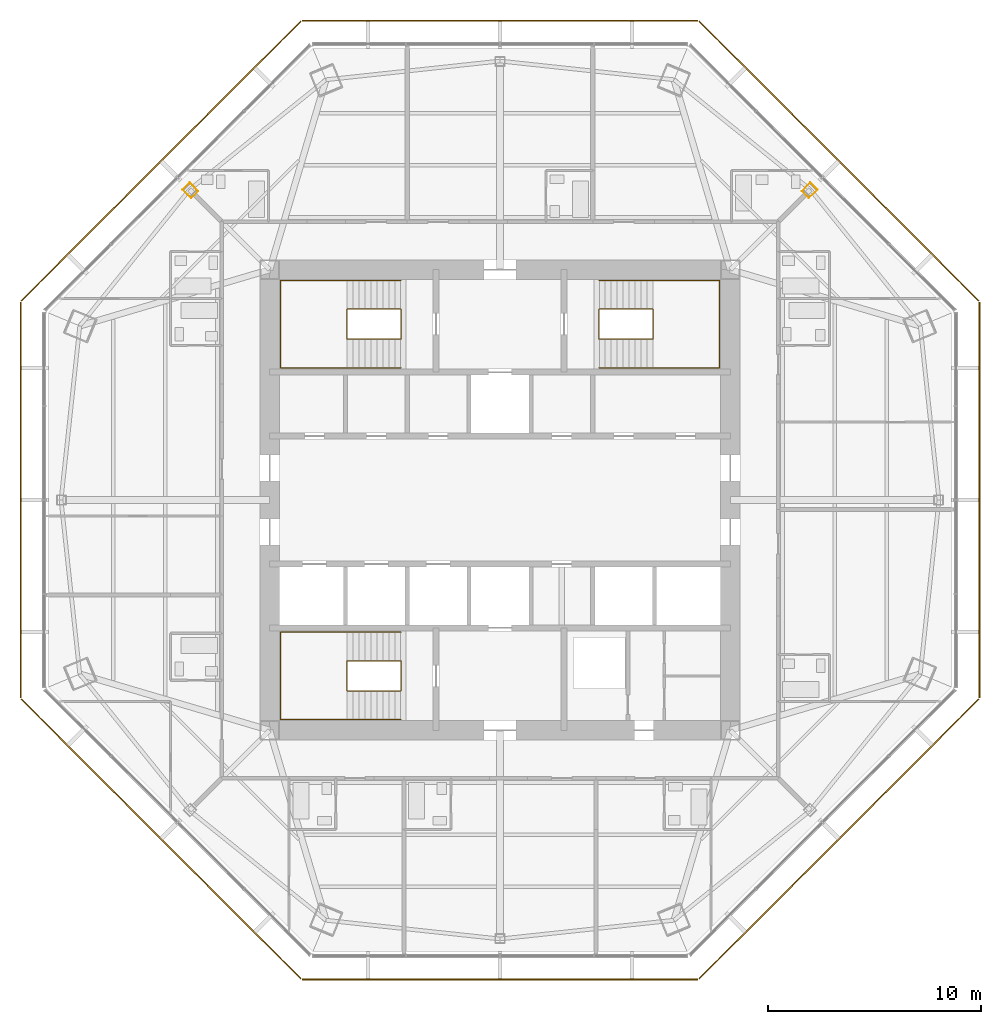
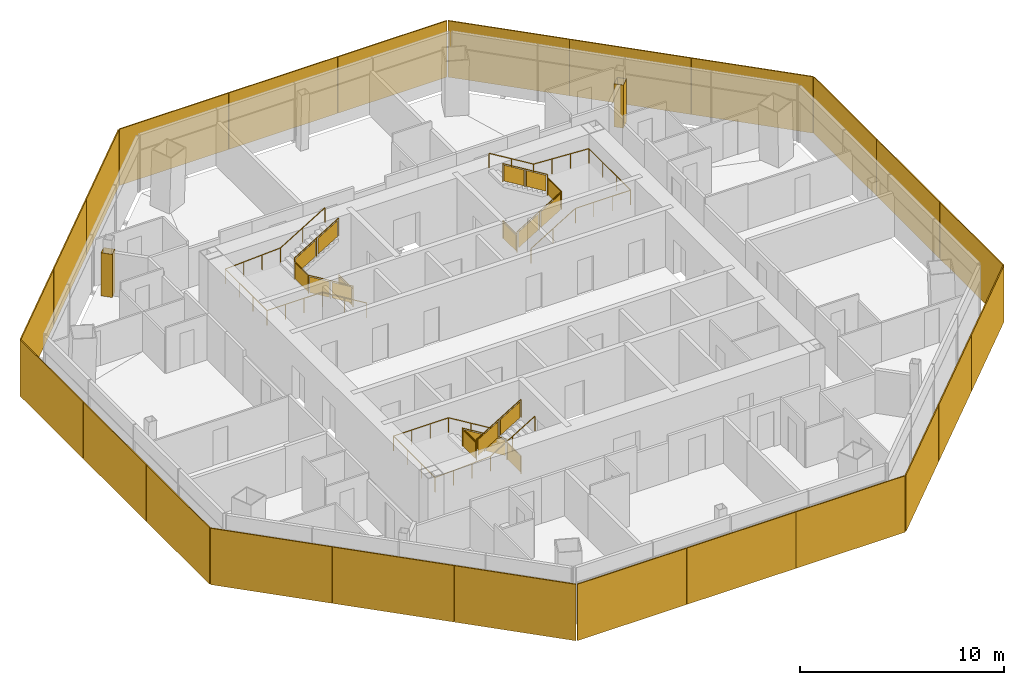
# One storey, part 14 of 15: 24 shading devices, 6 railings, 2 coverings.
"""IFC4 building model written with IfcOpenShell, lengths in metres."""

from ifc_helpers import new_model, si_unit, direction, frame, origin, origin_2d, place, context, subcontext, project, spatial, polyline, rectangle, circle, outline, extrude, source, transform, mapped, material, layer, layer_set, type_object, type_shapes, element, save


model = new_model("IFC4")

# Units and contexts
model_context = context("Model", 3, precision=1e-05, world=origin(), true_north=direction((0.0, 1.0)))
body_context = subcontext(model_context, "Body", "Model", "MODEL_VIEW")
ifc_project = project(units=[si_unit("LENGTHUNIT", "METRE"), si_unit("AREAUNIT", "SQUARE_METRE"), si_unit("VOLUMEUNIT", "CUBIC_METRE"), si_unit("PLANEANGLEUNIT", "RADIAN"), si_unit("MASSUNIT", "GRAM", prefix="KILO")], contexts=[model_context])

# Site, building, storey
site_placement = place(None, origin())
site = spatial("IfcSite", under=ifc_project, at=site_placement, CompositionType="ELEMENT")
building_placement = place(site_placement, origin())
building = spatial("IfcBuilding", under=site, at=building_placement, Name="Mashrafa Tower", CompositionType="ELEMENT")
storey_placement = place(building_placement, frame((0.0, 0.0, 234.60009765625)))
storey = spatial("IfcBuildingStorey", under=building, at=storey_placement, Name="L55", CompositionType="ELEMENT", Elevation=234.60009765625)

# Coverings
ifc_material_1 = material(Name="Gypsum board")
ifc_layer_1 = layer(ifc_material_1, 0.014892578125)
ifc_layer_set_1 = layer_set([ifc_layer_1], Name="Column casing plasterboard 15")
covering_type = type_object("IfcCoveringType", Name="Column casing plasterboard 15", PredefinedType="CLADDING", material=ifc_layer_set_1)
covering_1_placement = place(storey_placement, origin())
element("IfcCovering", 1, at=covering_1_placement, inside=storey, type_object=covering_type, Name="Column casing L55-001", PredefinedType="CLADDING", context=body_context, shape_type="SweptSolid", body=[
    extrude(outline(polyline([(14.1435546875, 14.48291015625), (14.551025390625, 14.890380859375), (14.890380859375, 14.551025390625), (14.48291015625, 14.1435546875), (14.1435546875, 14.48291015625)]), holes=[polyline([(14.869384765625, 14.551025390625), (14.551025390625, 14.869384765625), (14.164794921875, 14.48291015625), (14.48291015625, 14.164794921875), (14.869384765625, 14.551025390625)])]), origin(), (0.0, 0.0, 1.0), 2.582763671875),
])
covering_2_placement = place(storey_placement, origin())
element("IfcCovering", 2, at=covering_2_placement, inside=storey, type_object=covering_type, Name="Column casing L55-002", PredefinedType="CLADDING", context=body_context, shape_type="SweptSolid", body=[
    extrude(outline(polyline([(-14.890380859375, 14.551025390625), (-14.551025390625, 14.890380859375), (-14.1435546875, 14.48291015625), (-14.48291015625, 14.1435546875), (-14.890380859375, 14.551025390625)]), holes=[polyline([(-14.164794921875, 14.48291015625), (-14.551025390625, 14.869384765625), (-14.869384765625, 14.551025390625), (-14.48291015625, 14.164794921875), (-14.164794921875, 14.48291015625)])]), origin(), (0.0, 0.0, 1.0), 2.582763671875),
])

# Railings
ifc_material_2 = material(Name="Steel guard with glass infill", Category="steel")
railing_type_1 = type_object("IfcRailingType", Name="Stair guard 1100", PredefinedType="GUARDRAIL", material=ifc_material_2)
railing_1_placement = place(storey_placement, frame((-4.64990234375, 8.949951171875, 0.0)))
element("IfcRailing", 3, at=railing_1_placement, inside=storey, type_object=railing_type_1, Name="Stair S1 guard L55", PredefinedType="GUARDRAIL", context=body_context, shape_type="SweptSolid", body=[
    extrude(circle(Radius=0.02392578125, at=origin_2d()), frame((0.0, 0.0, 1.076171875), z_axis=(0.0, -1.0, 0.0), x_axis=(1.0, 0.0, 0.0)), (0.0, 0.0, 1.0), 1.39990234375),
    extrude(circle(Radius=0.02392578125, at=origin_2d()), frame((0.0, -1.39990234375, 1.076171875), z_axis=(0.0, 0.0, 1.0), x_axis=(1.0, 0.0, 0.0)), (0.0, 0.0, 1.0), 0.169921875),
    extrude(circle(Radius=0.02392578125, at=origin_2d()), frame((0.0, -1.39990234375, 1.24609375), z_axis=(-0.85478489116, 0.0, 0.518982456201), x_axis=(0.0, -1.0, 0.0)), (0.0, 0.0, 1.0), 2.9482421875),
    extrude(circle(Radius=0.02392578125, at=origin_2d()), frame((-2.52001953125, -1.39990234375, 2.77587890625), z_axis=(0.0, 1.0, 0.0), x_axis=(-1.0, 0.0, 0.0)), (0.0, 0.0, 1.0), 1.39990234375),
    extrude(circle(Radius=0.02392578125, at=origin_2d()), frame((-2.52001953125, 0.0, 2.77587890625), z_axis=(0.0, 0.0, 1.0), x_axis=(1.0, 0.0, 0.0)), (0.0, 0.0, 1.0), 0.169921875),
    extrude(circle(Radius=0.02392578125, at=origin_2d()), frame((-2.52001953125, 0.0, 2.94580078125), z_axis=(0.85478489116, 0.0, 0.518982456201), x_axis=(0.0, 1.0, 0.0)), (0.0, 0.0, 1.0), 2.9482421875),
    extrude(circle(Radius=0.02099609375, at=origin_2d()), origin(), (0.0, 0.0, 1.0), 1.052001953125),
    extrude(circle(Radius=0.02099609375, at=origin_2d()), frame((0.0, -1.39990234375, 0.0)), (0.0, 0.0, 1.0), 1.052001953125),
    extrude(circle(Radius=0.02099609375, at=origin_2d()), frame((0.0, -1.39990234375, 0.169921875)), (0.0, 0.0, 1.0), 1.052001953125),
    extrude(circle(Radius=0.02099609375, at=origin_2d()), frame((-1.260009765625, -1.39990234375, 0.93505859375)), (0.0, 0.0, 1.0), 1.052001953125),
    extrude(circle(Radius=0.02099609375, at=origin_2d()), frame((-2.52001953125, -1.39990234375, 1.699951171875)), (0.0, 0.0, 1.0), 1.052001953125),
    extrude(circle(Radius=0.02099609375, at=origin_2d()), frame((-2.52001953125, 0.0, 1.699951171875)), (0.0, 0.0, 1.0), 1.052001953125),
    extrude(circle(Radius=0.02099609375, at=origin_2d()), frame((-2.52001953125, 0.0, 1.869873046875)), (0.0, 0.0, 1.0), 1.052001953125),
    extrude(circle(Radius=0.02099609375, at=origin_2d()), frame((-1.260009765625, 0.0, 2.634765625)), (0.0, 0.0, 1.0), 1.052001953125),
    extrude(circle(Radius=0.02099609375, at=origin_2d()), frame((0.0, 0.0, 3.39990234375)), (0.0, 0.0, 1.0), 1.052001953125),
    extrude(outline(polyline([(0.071044921875, 0.050048828125), (1.328857421875, 0.050048828125), (1.328857421875, 1.001953125), (0.071044921875, 1.001953125), (0.071044921875, 0.050048828125)])), frame((-0.006103515625, 0.0, 0.0), z_axis=(-1.0, 0.0, 0.0), x_axis=(0.0, -1.0, 0.0)), (0.0, 0.0, 1.0), 0.011962890625),
    extrude(outline(polyline([(0.071044921875, 0.093017578125), (1.18896484375, 0.77197265625), (1.18896484375, 1.723876953125), (0.071044921875, 1.045166015625), (0.071044921875, 0.093017578125)])), frame((0.0, -1.393798828125, 0.169921875), z_axis=(0.0, 1.0, 0.0), x_axis=(-1.0, 0.0, 0.0)), (0.0, 0.0, 1.0), 0.011962890625),
    extrude(outline(polyline([(1.3310546875, 0.858154296875), (2.448974609375, 1.536865234375), (2.448974609375, 2.489013671875), (1.3310546875, 1.81005859375), (1.3310546875, 0.858154296875)])), frame((0.0, -1.393798828125, 0.169921875), z_axis=(0.0, 1.0, 0.0), x_axis=(-1.0, 0.0, 0.0)), (0.0, 0.0, 1.0), 0.011962890625),
    extrude(outline(polyline([(0.071044921875, 0.050048828125), (1.328857421875, 0.050048828125), (1.328857421875, 1.001953125), (0.071044921875, 1.001953125), (0.071044921875, 0.050048828125)])), frame((-2.513916015625, -1.39990234375, 1.699951171875), z_axis=(1.0, 0.0, 0.0), x_axis=(0.0, 1.0, 0.0)), (0.0, 0.0, 1.0), 0.011962890625),
    extrude(outline(polyline([(0.071044921875, 0.093017578125), (1.18896484375, 0.77197265625), (1.18896484375, 1.723876953125), (0.071044921875, 1.045166015625), (0.071044921875, 0.093017578125)])), frame((-2.52001953125, -0.006103515625, 1.869873046875), z_axis=(0.0, -1.0, 0.0), x_axis=(1.0, 0.0, 0.0)), (0.0, 0.0, 1.0), 0.011962890625),
    extrude(outline(polyline([(1.3310546875, 0.858154296875), (2.448974609375, 1.536865234375), (2.448974609375, 2.489013671875), (1.3310546875, 1.81005859375), (1.3310546875, 0.858154296875)])), frame((-2.52001953125, -0.006103515625, 1.869873046875), z_axis=(0.0, -1.0, 0.0), x_axis=(1.0, 0.0, 0.0)), (0.0, 0.0, 1.0), 0.011962890625),
])
railing_2_placement = place(storey_placement, frame((4.64990234375, 8.949951171875, 0.0)))
element("IfcRailing", 4, at=railing_2_placement, inside=storey, type_object=railing_type_1, Name="Stair S2 guard L55", PredefinedType="GUARDRAIL", context=body_context, shape_type="SweptSolid", body=[
    extrude(circle(Radius=0.02392578125, at=origin_2d()), frame((0.0, 0.0, 1.076171875), z_axis=(0.0, -1.0, 0.0), x_axis=(1.0, 0.0, 0.0)), (0.0, 0.0, 1.0), 1.39990234375),
    extrude(circle(Radius=0.02392578125, at=origin_2d()), frame((0.0, -1.39990234375, 1.076171875), z_axis=(0.0, 0.0, 1.0), x_axis=(1.0, 0.0, 0.0)), (0.0, 0.0, 1.0), 0.169921875),
    extrude(circle(Radius=0.02392578125, at=origin_2d()), frame((0.0, -1.39990234375, 1.24609375), z_axis=(0.85478489116, 0.0, 0.518982456201), x_axis=(0.0, 1.0, 0.0)), (0.0, 0.0, 1.0), 2.9482421875),
    extrude(circle(Radius=0.02392578125, at=origin_2d()), frame((2.52001953125, -1.39990234375, 2.77587890625), z_axis=(0.0, 1.0, 0.0), x_axis=(-1.0, 0.0, 0.0)), (0.0, 0.0, 1.0), 1.39990234375),
    extrude(circle(Radius=0.02392578125, at=origin_2d()), frame((2.52001953125, 0.0, 2.77587890625), z_axis=(0.0, 0.0, 1.0), x_axis=(1.0, 0.0, 0.0)), (0.0, 0.0, 1.0), 0.169921875),
    extrude(circle(Radius=0.02392578125, at=origin_2d()), frame((2.52001953125, 0.0, 2.94580078125), z_axis=(-0.85478489116, 0.0, 0.518982456201), x_axis=(0.0, -1.0, 0.0)), (0.0, 0.0, 1.0), 2.9482421875),
    extrude(circle(Radius=0.02099609375, at=origin_2d()), origin(), (0.0, 0.0, 1.0), 1.052001953125),
    extrude(circle(Radius=0.02099609375, at=origin_2d()), frame((0.0, -1.39990234375, 0.0)), (0.0, 0.0, 1.0), 1.052001953125),
    extrude(circle(Radius=0.02099609375, at=origin_2d()), frame((0.0, -1.39990234375, 0.169921875)), (0.0, 0.0, 1.0), 1.052001953125),
    extrude(circle(Radius=0.02099609375, at=origin_2d()), frame((1.260009765625, -1.39990234375, 0.93505859375)), (0.0, 0.0, 1.0), 1.052001953125),
    extrude(circle(Radius=0.02099609375, at=origin_2d()), frame((2.52001953125, -1.39990234375, 1.699951171875)), (0.0, 0.0, 1.0), 1.052001953125),
    extrude(circle(Radius=0.02099609375, at=origin_2d()), frame((2.52001953125, 0.0, 1.699951171875)), (0.0, 0.0, 1.0), 1.052001953125),
    extrude(circle(Radius=0.02099609375, at=origin_2d()), frame((2.52001953125, 0.0, 1.869873046875)), (0.0, 0.0, 1.0), 1.052001953125),
    extrude(circle(Radius=0.02099609375, at=origin_2d()), frame((1.260009765625, 0.0, 2.634765625)), (0.0, 0.0, 1.0), 1.052001953125),
    extrude(circle(Radius=0.02099609375, at=origin_2d()), frame((0.0, 0.0, 3.39990234375)), (0.0, 0.0, 1.0), 1.052001953125),
    extrude(outline(polyline([(0.071044921875, 0.050048828125), (1.328857421875, 0.050048828125), (1.328857421875, 1.001953125), (0.071044921875, 1.001953125), (0.071044921875, 0.050048828125)])), frame((-0.006103515625, 0.0, 0.0), z_axis=(-1.0, 0.0, 0.0), x_axis=(0.0, -1.0, 0.0)), (0.0, 0.0, 1.0), 0.011962890625),
    extrude(outline(polyline([(0.071044921875, 0.093017578125), (1.18896484375, 0.77197265625), (1.18896484375, 1.723876953125), (0.071044921875, 1.045166015625), (0.071044921875, 0.093017578125)])), frame((0.0, -1.406005859375, 0.169921875), z_axis=(0.0, -1.0, 0.0), x_axis=(1.0, 0.0, 0.0)), (0.0, 0.0, 1.0), 0.011962890625),
    extrude(outline(polyline([(1.3310546875, 0.858154296875), (2.448974609375, 1.536865234375), (2.448974609375, 2.489013671875), (1.3310546875, 1.81005859375), (1.3310546875, 0.858154296875)])), frame((0.0, -1.406005859375, 0.169921875), z_axis=(0.0, -1.0, 0.0), x_axis=(1.0, 0.0, 0.0)), (0.0, 0.0, 1.0), 0.011962890625),
    extrude(outline(polyline([(0.071044921875, 0.050048828125), (1.328857421875, 0.050048828125), (1.328857421875, 1.001953125), (0.071044921875, 1.001953125), (0.071044921875, 0.050048828125)])), frame((2.526123046875, -1.39990234375, 1.699951171875), z_axis=(1.0, 0.0, 0.0), x_axis=(0.0, 1.0, 0.0)), (0.0, 0.0, 1.0), 0.011962890625),
    extrude(outline(polyline([(0.071044921875, 0.093017578125), (1.18896484375, 0.77197265625), (1.18896484375, 1.723876953125), (0.071044921875, 1.045166015625), (0.071044921875, 0.093017578125)])), frame((2.52001953125, 0.006103515625, 1.869873046875), z_axis=(0.0, 1.0, 0.0), x_axis=(-1.0, 0.0, 0.0)), (0.0, 0.0, 1.0), 0.011962890625),
    extrude(outline(polyline([(1.3310546875, 0.858154296875), (2.448974609375, 1.536865234375), (2.448974609375, 2.489013671875), (1.3310546875, 1.81005859375), (1.3310546875, 0.858154296875)])), frame((2.52001953125, 0.006103515625, 1.869873046875), z_axis=(0.0, 1.0, 0.0), x_axis=(-1.0, 0.0, 0.0)), (0.0, 0.0, 1.0), 0.011962890625),
])
railing_3_placement = place(storey_placement, frame((-4.64990234375, -8.949951171875, 0.0)))
element("IfcRailing", 5, at=railing_3_placement, inside=storey, type_object=railing_type_1, Name="Stair S3 guard L55", PredefinedType="GUARDRAIL", context=body_context, shape_type="SweptSolid", body=[
    extrude(circle(Radius=0.02392578125, at=origin_2d()), frame((0.0, 0.0, 1.076171875), z_axis=(0.0, 1.0, 0.0), x_axis=(-1.0, 0.0, 0.0)), (0.0, 0.0, 1.0), 1.39990234375),
    extrude(circle(Radius=0.02392578125, at=origin_2d()), frame((0.0, 1.39990234375, 1.076171875), z_axis=(0.0, 0.0, 1.0), x_axis=(1.0, 0.0, 0.0)), (0.0, 0.0, 1.0), 0.169921875),
    extrude(circle(Radius=0.02392578125, at=origin_2d()), frame((0.0, 1.39990234375, 1.24609375), z_axis=(-0.85478489116, 0.0, 0.518982456201), x_axis=(0.0, -1.0, 0.0)), (0.0, 0.0, 1.0), 2.9482421875),
    extrude(circle(Radius=0.02392578125, at=origin_2d()), frame((-2.52001953125, 1.39990234375, 2.77587890625), z_axis=(0.0, -1.0, 0.0), x_axis=(1.0, 0.0, 0.0)), (0.0, 0.0, 1.0), 1.39990234375),
    extrude(circle(Radius=0.02392578125, at=origin_2d()), frame((-2.52001953125, 0.0, 2.77587890625), z_axis=(0.0, 0.0, 1.0), x_axis=(1.0, 0.0, 0.0)), (0.0, 0.0, 1.0), 0.169921875),
    extrude(circle(Radius=0.02392578125, at=origin_2d()), frame((-2.52001953125, 0.0, 2.94580078125), z_axis=(0.85478489116, 0.0, 0.518982456201), x_axis=(0.0, 1.0, 0.0)), (0.0, 0.0, 1.0), 2.9482421875),
    extrude(circle(Radius=0.02099609375, at=origin_2d()), origin(), (0.0, 0.0, 1.0), 1.052001953125),
    extrude(circle(Radius=0.02099609375, at=origin_2d()), frame((0.0, 1.39990234375, 0.0)), (0.0, 0.0, 1.0), 1.052001953125),
    extrude(circle(Radius=0.02099609375, at=origin_2d()), frame((0.0, 1.39990234375, 0.169921875)), (0.0, 0.0, 1.0), 1.052001953125),
    extrude(circle(Radius=0.02099609375, at=origin_2d()), frame((-1.260009765625, 1.39990234375, 0.93505859375)), (0.0, 0.0, 1.0), 1.052001953125),
    extrude(circle(Radius=0.02099609375, at=origin_2d()), frame((-2.52001953125, 1.39990234375, 1.699951171875)), (0.0, 0.0, 1.0), 1.052001953125),
    extrude(circle(Radius=0.02099609375, at=origin_2d()), frame((-2.52001953125, 0.0, 1.699951171875)), (0.0, 0.0, 1.0), 1.052001953125),
    extrude(circle(Radius=0.02099609375, at=origin_2d()), frame((-2.52001953125, 0.0, 1.869873046875)), (0.0, 0.0, 1.0), 1.052001953125),
    extrude(circle(Radius=0.02099609375, at=origin_2d()), frame((-1.260009765625, 0.0, 2.634765625)), (0.0, 0.0, 1.0), 1.052001953125),
    extrude(circle(Radius=0.02099609375, at=origin_2d()), frame((0.0, 0.0, 3.39990234375)), (0.0, 0.0, 1.0), 1.052001953125),
    extrude(outline(polyline([(0.071044921875, 0.050048828125), (1.328857421875, 0.050048828125), (1.328857421875, 1.001953125), (0.071044921875, 1.001953125), (0.071044921875, 0.050048828125)])), frame((0.006103515625, 0.0, 0.0), z_axis=(1.0, 0.0, 0.0), x_axis=(0.0, 1.0, 0.0)), (0.0, 0.0, 1.0), 0.011962890625),
    extrude(outline(polyline([(0.071044921875, 0.093017578125), (1.18896484375, 0.77197265625), (1.18896484375, 1.723876953125), (0.071044921875, 1.045166015625), (0.071044921875, 0.093017578125)])), frame((0.0, 1.406005859375, 0.169921875), z_axis=(0.0, 1.0, 0.0), x_axis=(-1.0, 0.0, 0.0)), (0.0, 0.0, 1.0), 0.011962890625),
    extrude(outline(polyline([(1.3310546875, 0.858154296875), (2.448974609375, 1.536865234375), (2.448974609375, 2.489013671875), (1.3310546875, 1.81005859375), (1.3310546875, 0.858154296875)])), frame((0.0, 1.406005859375, 0.169921875), z_axis=(0.0, 1.0, 0.0), x_axis=(-1.0, 0.0, 0.0)), (0.0, 0.0, 1.0), 0.011962890625),
    extrude(outline(polyline([(0.071044921875, 0.050048828125), (1.328857421875, 0.050048828125), (1.328857421875, 1.001953125), (0.071044921875, 1.001953125), (0.071044921875, 0.050048828125)])), frame((-2.526123046875, 1.39990234375, 1.699951171875), z_axis=(-1.0, 0.0, 0.0), x_axis=(0.0, -1.0, 0.0)), (0.0, 0.0, 1.0), 0.011962890625),
    extrude(outline(polyline([(0.071044921875, 0.093017578125), (1.18896484375, 0.77197265625), (1.18896484375, 1.723876953125), (0.071044921875, 1.045166015625), (0.071044921875, 0.093017578125)])), frame((-2.52001953125, -0.006103515625, 1.869873046875), z_axis=(0.0, -1.0, 0.0), x_axis=(1.0, 0.0, 0.0)), (0.0, 0.0, 1.0), 0.011962890625),
    extrude(outline(polyline([(1.3310546875, 0.858154296875), (2.448974609375, 1.536865234375), (2.448974609375, 2.489013671875), (1.3310546875, 1.81005859375), (1.3310546875, 0.858154296875)])), frame((-2.52001953125, -0.006103515625, 1.869873046875), z_axis=(0.0, -1.0, 0.0), x_axis=(1.0, 0.0, 0.0)), (0.0, 0.0, 1.0), 0.011962890625),
])
ifc_material_3 = material(Name="Steel", Category="steel")
railing_type_2 = type_object("IfcRailingType", Name="Stair handrail 900", PredefinedType="HANDRAIL", material=ifc_material_3)
railing_4_placement = place(storey_placement, frame((-4.64990234375, 6.199951171875, 0.169921875)))
element("IfcRailing", 6, at=railing_4_placement, inside=storey, type_object=railing_type_2, Name="Stair S1 handrail L55", PredefinedType="HANDRAIL", context=body_context, shape_type="SweptSolid", body=[
    extrude(circle(Radius=0.02392578125, at=origin_2d()), frame((0.0, 0.0, 0.8759765625), z_axis=(-0.85478489116, 0.0, 0.518982456201), x_axis=(0.0, -1.0, 0.0)), (0.0, 0.0, 1.0), 2.9482421875),
    extrude(circle(Radius=0.02392578125, at=origin_2d()), frame((-2.52001953125, 0.0, 2.40576171875), z_axis=(-1.0, 0.0, 0.0), x_axis=(0.0, -1.0, 0.0)), (0.0, 0.0, 1.0), 3.130126953125),
    extrude(circle(Radius=0.02392578125, at=origin_2d()), frame((-5.650146484375, 0.0, 2.40576171875), z_axis=(0.0, 1.0, 0.0), x_axis=(-1.0, 0.0, 0.0)), (0.0, 0.0, 1.0), 4.10009765625),
    extrude(circle(Radius=0.02392578125, at=origin_2d()), frame((-5.650146484375, 4.10009765625, 2.40576171875), z_axis=(0.998529767259, 0.0, 0.054206124172), x_axis=(0.0, 1.0, 0.0)), (0.0, 0.0, 1.0), 3.134765625),
    extrude(circle(Radius=0.02392578125, at=origin_2d()), frame((-2.52001953125, 4.10009765625, 2.57568359375), z_axis=(0.85478489116, 0.0, 0.518982456201), x_axis=(0.0, 1.0, 0.0)), (0.0, 0.0, 1.0), 2.9482421875),
    extrude(circle(Radius=0.02099609375, at=origin_2d()), origin(), (0.0, 0.0, 1.0), 0.851806640625),
    extrude(circle(Radius=0.02099609375, at=origin_2d()), frame((-1.260009765625, 0.0, 0.76513671875)), (0.0, 0.0, 1.0), 0.851806640625),
    extrude(circle(Radius=0.02099609375, at=origin_2d()), frame((-2.52001953125, 0.0, 1.530029296875)), (0.0, 0.0, 1.0), 0.851806640625),
    extrude(circle(Radius=0.02099609375, at=origin_2d()), frame((-3.5634765625, 0.0, 1.530029296875)), (0.0, 0.0, 1.0), 0.851806640625),
    extrude(circle(Radius=0.02099609375, at=origin_2d()), frame((-4.606689453125, 0.0, 1.530029296875)), (0.0, 0.0, 1.0), 0.851806640625),
    extrude(circle(Radius=0.02099609375, at=origin_2d()), frame((-5.650146484375, 0.0, 1.530029296875)), (0.0, 0.0, 1.0), 0.851806640625),
    extrude(circle(Radius=0.02099609375, at=origin_2d()), frame((-5.650146484375, 1.36669921875, 1.530029296875)), (0.0, 0.0, 1.0), 0.851806640625),
    extrude(circle(Radius=0.02099609375, at=origin_2d()), frame((-5.650146484375, 2.7333984375, 1.530029296875)), (0.0, 0.0, 1.0), 0.851806640625),
    extrude(circle(Radius=0.02099609375, at=origin_2d()), frame((-5.650146484375, 4.10009765625, 1.530029296875)), (0.0, 0.0, 1.0), 0.851806640625),
    extrude(circle(Radius=0.02099609375, at=origin_2d()), frame((-4.606689453125, 4.10009765625, 1.586669921875)), (0.0, 0.0, 1.0), 0.851806640625),
    extrude(circle(Radius=0.02099609375, at=origin_2d()), frame((-3.5634765625, 4.10009765625, 1.643310546875)), (0.0, 0.0, 1.0), 0.851806640625),
    extrude(circle(Radius=0.02099609375, at=origin_2d()), frame((-2.52001953125, 4.10009765625, 1.699951171875)), (0.0, 0.0, 1.0), 0.851806640625),
    extrude(circle(Radius=0.02099609375, at=origin_2d()), frame((-1.260009765625, 4.10009765625, 2.46484375)), (0.0, 0.0, 1.0), 0.851806640625),
    extrude(circle(Radius=0.02099609375, at=origin_2d()), frame((0.0, 4.10009765625, 3.22998046875)), (0.0, 0.0, 1.0), 0.851806640625),
])
railing_5_placement = place(storey_placement, frame((4.64990234375, 6.199951171875, 0.169921875)))
element("IfcRailing", 7, at=railing_5_placement, inside=storey, type_object=railing_type_2, Name="Stair S2 handrail L55", PredefinedType="HANDRAIL", context=body_context, shape_type="SweptSolid", body=[
    extrude(circle(Radius=0.02392578125, at=origin_2d()), frame((0.0, 0.0, 0.8759765625), z_axis=(0.85478489116, 0.0, 0.518982456201), x_axis=(0.0, 1.0, 0.0)), (0.0, 0.0, 1.0), 2.9482421875),
    extrude(circle(Radius=0.02392578125, at=origin_2d()), frame((2.52001953125, 0.0, 2.40576171875), z_axis=(1.0, 0.0, 0.0), x_axis=(0.0, 1.0, 0.0)), (0.0, 0.0, 1.0), 3.130126953125),
    extrude(circle(Radius=0.02392578125, at=origin_2d()), frame((5.650146484375, 0.0, 2.40576171875), z_axis=(0.0, 1.0, 0.0), x_axis=(-1.0, 0.0, 0.0)), (0.0, 0.0, 1.0), 4.10009765625),
    extrude(circle(Radius=0.02392578125, at=origin_2d()), frame((5.650146484375, 4.10009765625, 2.40576171875), z_axis=(-0.998529767259, 0.0, 0.054206124172), x_axis=(0.0, -1.0, 0.0)), (0.0, 0.0, 1.0), 3.134765625),
    extrude(circle(Radius=0.02392578125, at=origin_2d()), frame((2.52001953125, 4.10009765625, 2.57568359375), z_axis=(-0.85478489116, 0.0, 0.518982456201), x_axis=(0.0, -1.0, 0.0)), (0.0, 0.0, 1.0), 2.9482421875),
    extrude(circle(Radius=0.02099609375, at=origin_2d()), origin(), (0.0, 0.0, 1.0), 0.851806640625),
    extrude(circle(Radius=0.02099609375, at=origin_2d()), frame((1.260009765625, 0.0, 0.76513671875)), (0.0, 0.0, 1.0), 0.851806640625),
    extrude(circle(Radius=0.02099609375, at=origin_2d()), frame((2.52001953125, 0.0, 1.530029296875)), (0.0, 0.0, 1.0), 0.851806640625),
    extrude(circle(Radius=0.02099609375, at=origin_2d()), frame((3.5634765625, 0.0, 1.530029296875)), (0.0, 0.0, 1.0), 0.851806640625),
    extrude(circle(Radius=0.02099609375, at=origin_2d()), frame((4.606689453125, 0.0, 1.530029296875)), (0.0, 0.0, 1.0), 0.851806640625),
    extrude(circle(Radius=0.02099609375, at=origin_2d()), frame((5.650146484375, 0.0, 1.530029296875)), (0.0, 0.0, 1.0), 0.851806640625),
    extrude(circle(Radius=0.02099609375, at=origin_2d()), frame((5.650146484375, 1.36669921875, 1.530029296875)), (0.0, 0.0, 1.0), 0.851806640625),
    extrude(circle(Radius=0.02099609375, at=origin_2d()), frame((5.650146484375, 2.7333984375, 1.530029296875)), (0.0, 0.0, 1.0), 0.851806640625),
    extrude(circle(Radius=0.02099609375, at=origin_2d()), frame((5.650146484375, 4.10009765625, 1.530029296875)), (0.0, 0.0, 1.0), 0.851806640625),
    extrude(circle(Radius=0.02099609375, at=origin_2d()), frame((4.606689453125, 4.10009765625, 1.586669921875)), (0.0, 0.0, 1.0), 0.851806640625),
    extrude(circle(Radius=0.02099609375, at=origin_2d()), frame((3.5634765625, 4.10009765625, 1.643310546875)), (0.0, 0.0, 1.0), 0.851806640625),
    extrude(circle(Radius=0.02099609375, at=origin_2d()), frame((2.52001953125, 4.10009765625, 1.699951171875)), (0.0, 0.0, 1.0), 0.851806640625),
    extrude(circle(Radius=0.02099609375, at=origin_2d()), frame((1.260009765625, 4.10009765625, 2.46484375)), (0.0, 0.0, 1.0), 0.851806640625),
    extrude(circle(Radius=0.02099609375, at=origin_2d()), frame((0.0, 4.10009765625, 3.22998046875)), (0.0, 0.0, 1.0), 0.851806640625),
])
railing_6_placement = place(storey_placement, frame((-4.64990234375, -6.199951171875, 0.169921875)))
element("IfcRailing", 8, at=railing_6_placement, inside=storey, type_object=railing_type_2, Name="Stair S3 handrail L55", PredefinedType="HANDRAIL", context=body_context, shape_type="SweptSolid", body=[
    extrude(circle(Radius=0.02392578125, at=origin_2d()), frame((0.0, 0.0, 0.8759765625), z_axis=(-0.85478489116, 0.0, 0.518982456201), x_axis=(0.0, -1.0, 0.0)), (0.0, 0.0, 1.0), 2.9482421875),
    extrude(circle(Radius=0.02392578125, at=origin_2d()), frame((-2.52001953125, 0.0, 2.40576171875), z_axis=(-1.0, 0.0, 0.0), x_axis=(0.0, -1.0, 0.0)), (0.0, 0.0, 1.0), 3.130126953125),
    extrude(circle(Radius=0.02392578125, at=origin_2d()), frame((-5.650146484375, 0.0, 2.40576171875), z_axis=(0.0, -1.0, 0.0), x_axis=(1.0, 0.0, 0.0)), (0.0, 0.0, 1.0), 4.10009765625),
    extrude(circle(Radius=0.02392578125, at=origin_2d()), frame((-5.650146484375, -4.10009765625, 2.40576171875), z_axis=(0.998529767259, 0.0, 0.054206124172), x_axis=(0.0, 1.0, 0.0)), (0.0, 0.0, 1.0), 3.134765625),
    extrude(circle(Radius=0.02392578125, at=origin_2d()), frame((-2.52001953125, -4.10009765625, 2.57568359375), z_axis=(0.85478489116, 0.0, 0.518982456201), x_axis=(0.0, 1.0, 0.0)), (0.0, 0.0, 1.0), 2.9482421875),
    extrude(circle(Radius=0.02099609375, at=origin_2d()), origin(), (0.0, 0.0, 1.0), 0.851806640625),
    extrude(circle(Radius=0.02099609375, at=origin_2d()), frame((-1.260009765625, 0.0, 0.76513671875)), (0.0, 0.0, 1.0), 0.851806640625),
    extrude(circle(Radius=0.02099609375, at=origin_2d()), frame((-2.52001953125, 0.0, 1.530029296875)), (0.0, 0.0, 1.0), 0.851806640625),
    extrude(circle(Radius=0.02099609375, at=origin_2d()), frame((-3.5634765625, 0.0, 1.530029296875)), (0.0, 0.0, 1.0), 0.851806640625),
    extrude(circle(Radius=0.02099609375, at=origin_2d()), frame((-4.606689453125, 0.0, 1.530029296875)), (0.0, 0.0, 1.0), 0.851806640625),
    extrude(circle(Radius=0.02099609375, at=origin_2d()), frame((-5.650146484375, 0.0, 1.530029296875)), (0.0, 0.0, 1.0), 0.851806640625),
    extrude(circle(Radius=0.02099609375, at=origin_2d()), frame((-5.650146484375, -1.36669921875, 1.530029296875)), (0.0, 0.0, 1.0), 0.851806640625),
    extrude(circle(Radius=0.02099609375, at=origin_2d()), frame((-5.650146484375, -2.7333984375, 1.530029296875)), (0.0, 0.0, 1.0), 0.851806640625),
    extrude(circle(Radius=0.02099609375, at=origin_2d()), frame((-5.650146484375, -4.10009765625, 1.530029296875)), (0.0, 0.0, 1.0), 0.851806640625),
    extrude(circle(Radius=0.02099609375, at=origin_2d()), frame((-4.606689453125, -4.10009765625, 1.586669921875)), (0.0, 0.0, 1.0), 0.851806640625),
    extrude(circle(Radius=0.02099609375, at=origin_2d()), frame((-3.5634765625, -4.10009765625, 1.643310546875)), (0.0, 0.0, 1.0), 0.851806640625),
    extrude(circle(Radius=0.02099609375, at=origin_2d()), frame((-2.52001953125, -4.10009765625, 1.699951171875)), (0.0, 0.0, 1.0), 0.851806640625),
    extrude(circle(Radius=0.02099609375, at=origin_2d()), frame((-1.260009765625, -4.10009765625, 2.46484375)), (0.0, 0.0, 1.0), 0.851806640625),
    extrude(circle(Radius=0.02099609375, at=origin_2d()), frame((0.0, -4.10009765625, 3.22998046875)), (0.0, 0.0, 1.0), 0.851806640625),
])

# Shading devices
ifc_material_4 = material(Name="Perforated aluminium plate, eight-point star pattern", Category="aluminium")
ifc_layer_2 = layer(ifc_material_4, 0.06005859375)
ifc_layer_set_2 = layer_set([ifc_layer_2], Name="Mashrabiya screen panel apartment zone 3, 28 percent open")
shading_device_type = type_object("IfcShadingDeviceType", Name="Mashrabiya screen panel apartment zone 3, 28 percent open", PredefinedType="SHUTTER", material=ifc_layer_set_2)
shared_shape = source(origin(), body_context, "Body", "SweptSolid", [
    extrude(rectangle(XDim=6.172119140625, YDim=0.06005859375, at=origin_2d()), origin(), (0.0, 0.0, 1.0), 3.3798828125),
])
type_shapes(shading_device_type, [shared_shape])
for number, where, z_axis, x_axis, name in (
    (9, (22.478271484375, -6.192138671875, -0.150146484375), (0.0, 0.0, 1.0), (0.0, 1.0, 0.0), "Mashrabiya screen L55 east 1"),
    (10, (22.478271484375, 0.0, -0.150146484375), (0.0, 0.0, 1.0), (0.0, 1.0, 0.0), "Mashrabiya screen L55 east 2"),
    (11, (22.478271484375, 6.192138671875, -0.150146484375), (0.0, 0.0, 1.0), (0.0, 1.0, 0.0), "Mashrabiya screen L55 east 3"),
    (12, (20.273193359375, 11.515869140625, -0.150146484375), (0.0, 0.0, 1.0), (-0.707106781187, 0.707106781187, 0.0), "Mashrabiya screen L55 north-east 1"),
    (13, (15.89453125, 15.89453125, -0.150146484375), (0.0, 0.0, 1.0), (-0.707106781187, 0.707106781187, 0.0), "Mashrabiya screen L55 north-east 2"),
    (14, (11.515869140625, 20.273193359375, -0.150146484375), (0.0, 0.0, 1.0), (-0.707106781187, 0.707106781187, 0.0), "Mashrabiya screen L55 north-east 3"),
    (15, (6.192138671875, 22.478271484375, -0.150146484375), (0.0, 0.0, 1.0), (-1.0, 0.0, 0.0), "Mashrabiya screen L55 north 1"),
    (16, (0.0, 22.478271484375, -0.150146484375), (0.0, 0.0, 1.0), (-1.0, 0.0, 0.0), "Mashrabiya screen L55 north 2"),
    (17, (-6.192138671875, 22.478271484375, -0.150146484375), (0.0, 0.0, 1.0), (-1.0, 0.0, 0.0), "Mashrabiya screen L55 north 3"),
    (18, (-11.515869140625, 20.273193359375, -0.150146484375), (0.0, 0.0, 1.0), (-0.707106781187, -0.707106781187, 0.0), "Mashrabiya screen L55 north-west 1"),
    (19, (-15.89453125, 15.89453125, -0.150146484375), (0.0, 0.0, 1.0), (-0.707106781187, -0.707106781187, 0.0), "Mashrabiya screen L55 north-west 2"),
    (20, (-20.273193359375, 11.515869140625, -0.150146484375), (0.0, 0.0, 1.0), (-0.707106781187, -0.707106781187, 0.0), "Mashrabiya screen L55 north-west 3"),
    (21, (-22.478271484375, 6.192138671875, -0.150146484375), (0.0, 0.0, 1.0), (0.0, -1.0, 0.0), "Mashrabiya screen L55 west 1"),
    (22, (-22.478271484375, 0.0, -0.150146484375), (0.0, 0.0, 1.0), (0.0, -1.0, 0.0), "Mashrabiya screen L55 west 2"),
    (23, (-22.478271484375, -6.192138671875, -0.150146484375), (0.0, 0.0, 1.0), (0.0, -1.0, 0.0), "Mashrabiya screen L55 west 3"),
    (24, (-20.273193359375, -11.515869140625, -0.150146484375), (0.0, 0.0, 1.0), (0.707106781187, -0.707106781187, 0.0), "Mashrabiya screen L55 south-west 1"),
    (25, (-15.89453125, -15.89453125, -0.150146484375), (0.0, 0.0, 1.0), (0.707106781187, -0.707106781187, 0.0), "Mashrabiya screen L55 south-west 2"),
    (26, (-11.515869140625, -20.273193359375, -0.150146484375), (0.0, 0.0, 1.0), (0.707106781187, -0.707106781187, 0.0), "Mashrabiya screen L55 south-west 3"),
    (27, (-6.192138671875, -22.478271484375, -0.150146484375), (0.0, 0.0, 1.0), (1.0, 0.0, 0.0), "Mashrabiya screen L55 south 1"),
    (28, (0.0, -22.478271484375, -0.150146484375), (0.0, 0.0, 1.0), (1.0, 0.0, 0.0), "Mashrabiya screen L55 south 2"),
    (29, (6.192138671875, -22.478271484375, -0.150146484375), (0.0, 0.0, 1.0), (1.0, 0.0, 0.0), "Mashrabiya screen L55 south 3"),
    (30, (11.515869140625, -20.273193359375, -0.150146484375), (0.0, 0.0, 1.0), (0.707106781187, 0.707106781187, 0.0), "Mashrabiya screen L55 south-east 1"),
    (31, (15.89453125, -15.89453125, -0.150146484375), (0.0, 0.0, 1.0), (0.707106781187, 0.707106781187, 0.0), "Mashrabiya screen L55 south-east 2"),
    (32, (20.273193359375, -11.515869140625, -0.150146484375), (0.0, 0.0, 1.0), (0.707106781187, 0.707106781187, 0.0), "Mashrabiya screen L55 south-east 3"),
):
    element("IfcShadingDevice", number, at=place(storey_placement, frame(where, z_axis=z_axis, x_axis=x_axis)), inside=storey, type_object=shading_device_type, Name=name, PredefinedType="SHUTTER", context=body_context, shape_type="MappedRepresentation", body=[
        mapped(shared_shape, transform((0.0, 0.0, 0.0))),
    ])

save(model, "model.ifc")
